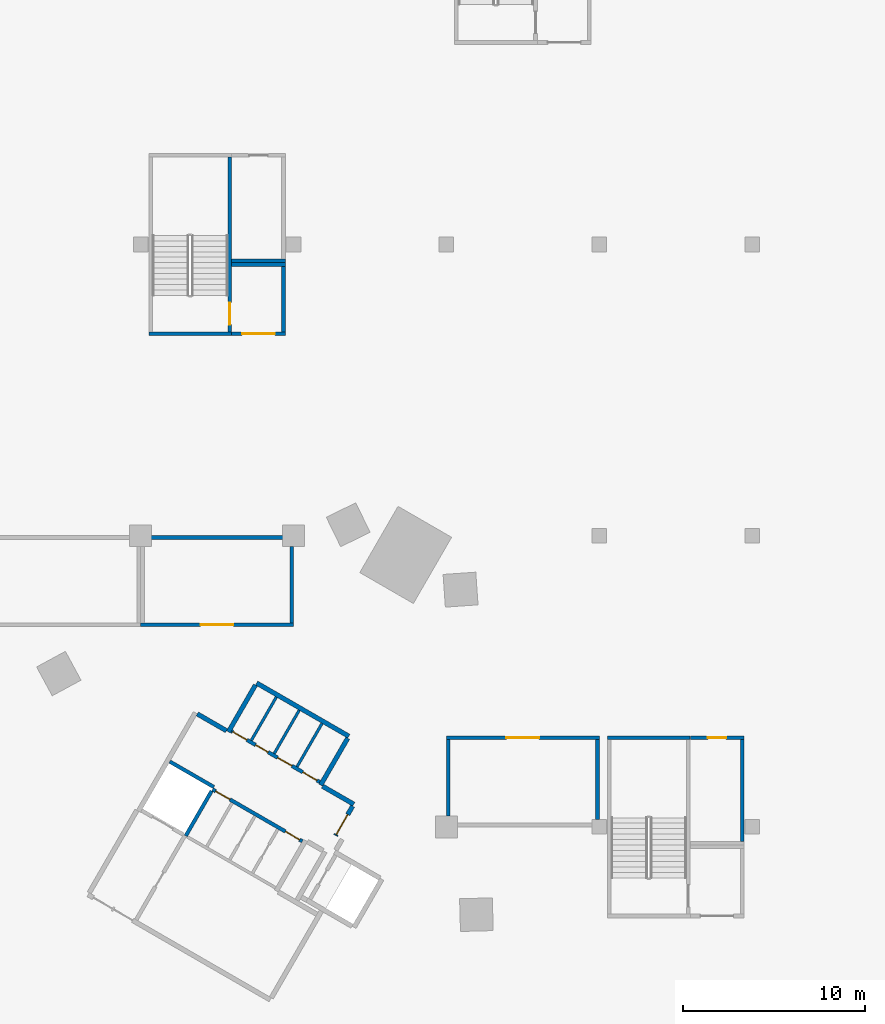
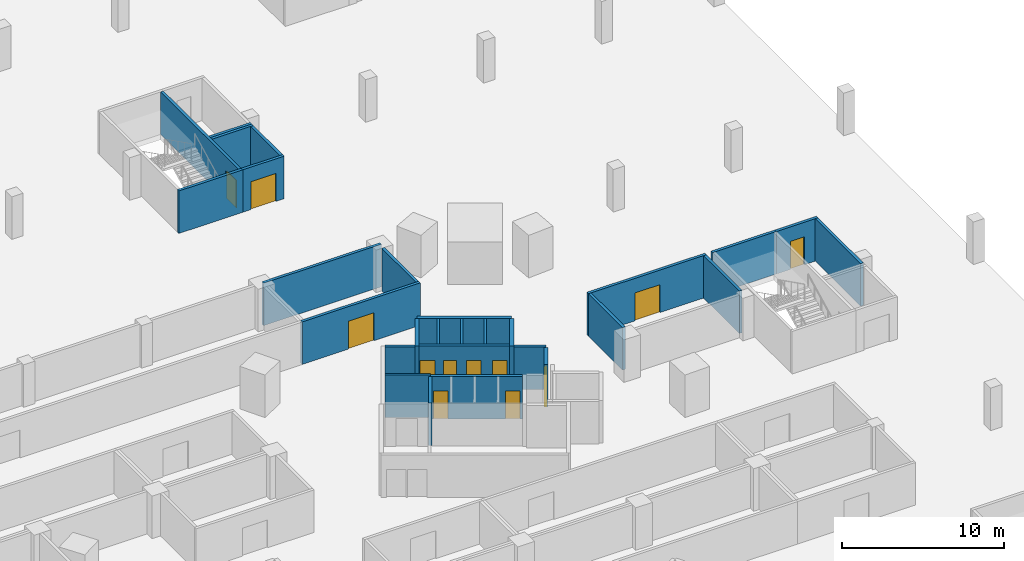
# One storey, part 14 of 37: 28 walls, 12 doors, 12 openings.
"""IFC4 building model written with IfcOpenShell, lengths in metres."""

from ifc_helpers import new_model, si_unit, direction, frame, frame_2d, origin, place, context, subcontext, project, spatial, rectangle, extrude, material, layer, layer_set, type_object, element, fill, save


model = new_model("IFC4")

# Units and contexts
model_context = context("Model", 3, precision=1e-05, world=origin(), true_north=direction((0.0, 1.0)))
body_context = subcontext(model_context, "Body", "Model", "MODEL_VIEW")
ifc_project = project(units=[si_unit("LENGTHUNIT", "METRE"), si_unit("AREAUNIT", "SQUARE_METRE"), si_unit("VOLUMEUNIT", "CUBIC_METRE"), si_unit("PLANEANGLEUNIT", "RADIAN"), si_unit("MASSUNIT", "GRAM", prefix="KILO")], contexts=[model_context])

# Site, building, storey
site_placement = place(None, origin())
site = spatial("IfcSite", under=ifc_project, at=site_placement, CompositionType="ELEMENT")
building_placement = place(site_placement, origin())
building = spatial("IfcBuilding", under=site, at=building_placement, Name="Tamra Quay Hotel Tower", CompositionType="ELEMENT")
storey_placement = place(building_placement, frame((0.0, 0.0, -7.199951171875)))
storey = spatial("IfcBuildingStorey", under=building, at=storey_placement, Name="B2", CompositionType="ELEMENT", Elevation=-7.199951171875)

# Wall, opening, door
ifc_material_1 = material(Name="Blockwork", Category="masonry")
ifc_layer_1 = layer(ifc_material_1, 0.199951171875)
ifc_layer_set_1 = layer_set([ifc_layer_1], Name="Car park room wall 200")
wall_type_1 = type_object("IfcWallType", Name="Car park room wall 200", PredefinedType="PARTITIONING", material=ifc_layer_set_1)
wall_1_placement = place(storey_placement, frame((20.10009765625, 20.89990234375, 0.0), z_axis=(0.0, 0.0, 1.0), x_axis=(1.0, 0.0, 0.0)))
wall_1 = element("IfcWall", 1, at=wall_1_placement, inside=storey, type_object=wall_type_1, Name="PW", PredefinedType="PARTITIONING", context=body_context, shape_type="SweptSolid", body=[
    extrude(rectangle(XDim=8.39990234375, YDim=0.199951171875, at=frame_2d((4.199951171875, 0.0))), origin(), (0.0, 0.0, 1.0), 3.199951171875),
])
opening_1_placement = place(wall_1_placement, frame((3.300048828125, 0.0, 0.0)))
opening_1 = element("IfcOpeningElement", 2, at=opening_1_placement, cuts=wall_1, Name="Opening PD2", PredefinedType="OPENING", context=body_context, shape_type="SweptSolid", body=[
    extrude(rectangle(XDim=1.800048828125, YDim=2.10009765625, at=frame_2d((0.89990234375, 1.050048828125))), frame((0.0, 0.10986328125, 0.0), z_axis=(0.0, -1.0, 0.0), x_axis=(1.0, 0.0, 0.0)), (0.0, 0.0, 1.0), 0.219970703125),
])
ifc_material_2 = material(Name="Plant door 1800 x 2100")
door_type_1 = type_object("IfcDoorType", Name="Plant door 1800 x 2100", OperationType="DOUBLE_DOOR_SINGLE_SWING", PredefinedType="DOOR", material=ifc_material_2)
door_1_placement = place(opening_1_placement, origin())
door_1 = element("IfcDoor", 3, at=door_1_placement, inside=storey, type_object=door_type_1, Name="PD2", OperationType="DOUBLE_DOOR_SINGLE_SWING", OverallHeight=2.10009765625, OverallWidth=1.800048828125, PredefinedType="DOOR", context=body_context, shape_type="SweptSolid", body=[
    extrude(rectangle(XDim=1.800048828125, YDim=2.10009765625, at=frame_2d((0.89990234375, 1.050048828125))), frame((0.0, 0.02490234375, 0.0), z_axis=(0.0, -1.0, 0.0), x_axis=(1.0, 0.0, 0.0)), (0.0, 0.0, 1.0), 0.050048828125),
])
fill(opening_1, door_1)

# Walls
wall_2_placement = place(storey_placement, frame((20.199951171875, 16.60009765625, 0.0), z_axis=(0.0, 0.0, 1.0), x_axis=(0.0, 1.0, 0.0)))
element("IfcWall", 4, at=wall_2_placement, inside=storey, type_object=wall_type_1, Name="PW", PredefinedType="PARTITIONING", context=body_context, shape_type="SweptSolid", body=[
    extrude(rectangle(XDim=4.199951171875, YDim=0.199951171875, at=frame_2d((2.10009765625, 0.0))), origin(), (0.0, 0.0, 1.0), 3.199951171875),
])
wall_3_placement = place(storey_placement, frame((28.39990234375, 16.39990234375, 0.0), z_axis=(0.0, 0.0, 1.0), x_axis=(0.0, 1.0, 0.0)))
element("IfcWall", 5, at=wall_3_placement, inside=storey, type_object=wall_type_1, Name="PW", PredefinedType="PARTITIONING", context=body_context, shape_type="SweptSolid", body=[
    extrude(rectangle(XDim=4.400146484375, YDim=0.199951171875, at=frame_2d((2.2001953125, 0.0))), origin(), (0.0, 0.0, 1.0), 3.199951171875),
])

# Wall, opening, door
wall_4_placement = place(storey_placement, frame((3.300048828125, 27.10009765625, 0.0), z_axis=(0.0, 0.0, 1.0), x_axis=(1.0, 0.0, 0.0)))
wall_4 = element("IfcWall", 6, at=wall_4_placement, inside=storey, type_object=wall_type_1, Name="PW", PredefinedType="PARTITIONING", context=body_context, shape_type="SweptSolid", body=[
    extrude(rectangle(XDim=8.39990234375, YDim=0.199951171875, at=frame_2d((4.199951171875, 0.0))), origin(), (0.0, 0.0, 1.0), 3.199951171875),
])
opening_2_placement = place(wall_4_placement, frame((3.300048828125, 0.0, 0.0)))
opening_2 = element("IfcOpeningElement", 7, at=opening_2_placement, cuts=wall_4, Name="Opening PD2", PredefinedType="OPENING", context=body_context, shape_type="SweptSolid", body=[
    extrude(rectangle(XDim=1.800048828125, YDim=2.10009765625, at=frame_2d((0.89990234375, 1.050048828125))), frame((0.0, 0.10986328125, 0.0), z_axis=(0.0, -1.0, 0.0), x_axis=(1.0, 0.0, 0.0)), (0.0, 0.0, 1.0), 0.219970703125),
])
door_2_placement = place(opening_2_placement, origin())
door_2 = element("IfcDoor", 8, at=door_2_placement, inside=storey, type_object=door_type_1, Name="PD2", OperationType="DOUBLE_DOOR_SINGLE_SWING", OverallHeight=2.10009765625, OverallWidth=1.800048828125, PredefinedType="DOOR", context=body_context, shape_type="SweptSolid", body=[
    extrude(rectangle(XDim=1.800048828125, YDim=2.10009765625, at=frame_2d((0.89990234375, 1.050048828125))), frame((0.0, 0.02490234375, 0.0), z_axis=(0.0, -1.0, 0.0), x_axis=(1.0, 0.0, 0.0)), (0.0, 0.0, 1.0), 0.050048828125),
])
fill(opening_2, door_2)

# Walls
wall_5_placement = place(storey_placement, frame((3.300048828125, 31.89990234375, 0.0), z_axis=(0.0, 0.0, 1.0), x_axis=(1.0, 0.0, 0.0)))
element("IfcWall", 9, at=wall_5_placement, inside=storey, type_object=wall_type_1, Name="PW", PredefinedType="PARTITIONING", context=body_context, shape_type="SweptSolid", body=[
    extrude(rectangle(XDim=8.39990234375, YDim=0.199951171875, at=frame_2d((4.199951171875, 0.0))), origin(), (0.0, 0.0, 1.0), 3.199951171875),
])
wall_6_placement = place(storey_placement, frame((11.60009765625, 27.199951171875, 0.0), z_axis=(0.0, 0.0, 1.0), x_axis=(0.0, 1.0, 0.0)))
element("IfcWall", 10, at=wall_6_placement, inside=storey, type_object=wall_type_1, Name="PW", PredefinedType="PARTITIONING", context=body_context, shape_type="SweptSolid", body=[
    extrude(rectangle(XDim=4.199951171875, YDim=0.199951171875, at=frame_2d((2.10009765625, 0.0))), origin(), (0.0, 0.0, 1.0), 3.199951171875),
])

# Wall, opening, door
wall_7_placement = place(storey_placement, frame((8.300048828125, 43.10009765625, 0.0), z_axis=(0.0, 0.0, 1.0), x_axis=(1.0, 0.0, 0.0)))
wall_7 = element("IfcWall", 11, at=wall_7_placement, inside=storey, type_object=wall_type_1, Name="PW", PredefinedType="PARTITIONING", context=body_context, shape_type="SweptSolid", body=[
    extrude(rectangle(XDim=2.949951171875, YDim=0.199951171875, at=frame_2d((1.47509765625, 0.0))), origin(), (0.0, 0.0, 1.0), 3.199951171875),
])
opening_3_placement = place(wall_7_placement, frame((0.574951171875, 0.0, 0.0)))
opening_3 = element("IfcOpeningElement", 12, at=opening_3_placement, cuts=wall_7, Name="Opening PD2", PredefinedType="OPENING", context=body_context, shape_type="SweptSolid", body=[
    extrude(rectangle(XDim=1.800048828125, YDim=2.10009765625, at=frame_2d((0.89990234375, 1.050048828125))), frame((0.0, 0.10986328125, 0.0), z_axis=(0.0, -1.0, 0.0), x_axis=(1.0, 0.0, 0.0)), (0.0, 0.0, 1.0), 0.219970703125),
])
door_3_placement = place(opening_3_placement, origin())
door_3 = element("IfcDoor", 13, at=door_3_placement, inside=storey, type_object=door_type_1, Name="PD2", OperationType="DOUBLE_DOOR_SINGLE_SWING", OverallHeight=2.10009765625, OverallWidth=1.800048828125, PredefinedType="DOOR", context=body_context, shape_type="SweptSolid", body=[
    extrude(rectangle(XDim=1.800048828125, YDim=2.10009765625, at=frame_2d((0.89990234375, 1.050048828125))), frame((0.0, 0.02490234375, 0.0), z_axis=(0.0, -1.0, 0.0), x_axis=(1.0, 0.0, 0.0)), (0.0, 0.0, 1.0), 0.050048828125),
])
fill(opening_3, door_3)

# Walls
wall_8_placement = place(storey_placement, frame((8.300048828125, 46.89990234375, 0.0), z_axis=(0.0, 0.0, 1.0), x_axis=(1.0, 0.0, 0.0)))
element("IfcWall", 14, at=wall_8_placement, inside=storey, type_object=wall_type_1, Name="PW", PredefinedType="PARTITIONING", context=body_context, shape_type="SweptSolid", body=[
    extrude(rectangle(XDim=2.949951171875, YDim=0.199951171875, at=frame_2d((1.47509765625, 0.0))), origin(), (0.0, 0.0, 1.0), 3.199951171875),
])
wall_9_placement = place(storey_placement, frame((11.14990234375, 43.199951171875, 0.0), z_axis=(0.0, 0.0, 1.0), x_axis=(0.0, 1.0, 0.0)))
element("IfcWall", 15, at=wall_9_placement, inside=storey, type_object=wall_type_1, Name="PW", PredefinedType="PARTITIONING", context=body_context, shape_type="SweptSolid", body=[
    extrude(rectangle(XDim=3.60009765625, YDim=0.199951171875, at=frame_2d((1.800048828125, 0.0))), origin(), (0.0, 0.0, 1.0), 3.199951171875),
])
wall_10_placement = place(storey_placement, frame((8.300048828125, 47.10009765625, 0.0), z_axis=(0.0, 0.0, 1.0), x_axis=(1.0, 0.0, 0.0)))
element("IfcWall", 16, at=wall_10_placement, inside=storey, type_object=wall_type_1, Name="PW", PredefinedType="PARTITIONING", context=body_context, shape_type="SweptSolid", body=[
    extrude(rectangle(XDim=2.949951171875, YDim=0.199951171875, at=frame_2d((1.47509765625, 0.0))), origin(), (0.0, 0.0, 1.0), 3.199951171875),
])

# Wall, opening, door
wall_11_placement = place(storey_placement, frame((33.5, 20.89990234375, 0.0), z_axis=(0.0, 0.0, 1.0), x_axis=(1.0, 0.0, 0.0)))
wall_11 = element("IfcWall", 17, at=wall_11_placement, inside=storey, type_object=wall_type_1, Name="PW", PredefinedType="PARTITIONING", context=body_context, shape_type="SweptSolid", body=[
    extrude(rectangle(XDim=2.949951171875, YDim=0.199951171875, at=frame_2d((1.47509765625, 0.0))), origin(), (0.0, 0.0, 1.0), 3.199951171875),
])
opening_4_placement = place(wall_11_placement, frame((0.97509765625, 0.0, 0.0)))
opening_4 = element("IfcOpeningElement", 18, at=opening_4_placement, cuts=wall_11, Name="Opening PD1", PredefinedType="OPENING", context=body_context, shape_type="SweptSolid", body=[
    extrude(rectangle(XDim=1.0, YDim=2.10009765625, at=frame_2d((0.5, 1.050048828125))), frame((0.0, 0.10986328125, 0.0), z_axis=(0.0, -1.0, 0.0), x_axis=(1.0, 0.0, 0.0)), (0.0, 0.0, 1.0), 0.219970703125),
])
ifc_material_3 = material(Name="Car park door 1000 x 2100")
door_type_2 = type_object("IfcDoorType", Name="Car park door 1000 x 2100", OperationType="NOTDEFINED", PredefinedType="DOOR", material=ifc_material_3)
door_4_placement = place(opening_4_placement, origin())
door_4 = element("IfcDoor", 19, at=door_4_placement, inside=storey, type_object=door_type_2, Name="PD1", OperationType="SINGLE_SWING_LEFT", OverallHeight=2.10009765625, OverallWidth=1.0, PredefinedType="DOOR", context=body_context, shape_type="SweptSolid", body=[
    extrude(rectangle(XDim=1.0, YDim=2.10009765625, at=frame_2d((0.5, 1.050048828125))), frame((0.0, 0.02490234375, 0.0), z_axis=(0.0, -1.0, 0.0), x_axis=(1.0, 0.0, 0.0)), (0.0, 0.0, 1.0), 0.050048828125),
])
fill(opening_4, door_4)

# Wall
wall_12_placement = place(storey_placement, frame((36.35009765625, 15.199951171875, 0.0), z_axis=(0.0, 0.0, 1.0), x_axis=(0.0, 1.0, 0.0)))
element("IfcWall", 20, at=wall_12_placement, inside=storey, type_object=wall_type_1, Name="PW", PredefinedType="PARTITIONING", context=body_context, shape_type="SweptSolid", body=[
    extrude(rectangle(XDim=5.60009765625, YDim=0.199951171875, at=frame_2d((2.800048828125, 0.0))), origin(), (0.0, 0.0, 1.0), 3.199951171875),
])

# Wall, openings, doors
ifc_material_4 = material(Name="Concrete M70", Category="concrete")
ifc_layer_2 = layer(ifc_material_4, 0.199951171875)
ifc_layer_set_2 = layer_set([ifc_layer_2], Name="Concrete M70 core wall 200")
wall_type_2 = type_object("IfcWallType", Name="Concrete M70 core wall 200", PredefinedType="SHEAR", material=ifc_layer_set_2)
wall_13_placement = place(storey_placement, frame((8.294189453125, 21.26416015625, 0.0), z_axis=(0.0, 0.0, 1.0), x_axis=(0.866025812541, -0.499999292012, 0.0)))
wall_13 = element("IfcWall", 21, at=wall_13_placement, inside=storey, type_object=wall_type_2, Name="CW2", PredefinedType="SHEAR", context=body_context, shape_type="SweptSolid", body=[
    extrude(rectangle(XDim=5.59814453125, YDim=0.199951171875, at=frame_2d((2.799072265625, 0.0))), origin(), (0.0, 0.0, 1.0), 3.199951171875),
])
opening_5_placement = place(wall_13_placement, frame((4.52392578125, 0.0, 0.0)))
opening_5 = element("IfcOpeningElement", 22, at=opening_5_placement, cuts=wall_13, Name="Opening D2", PredefinedType="OPENING", context=body_context, shape_type="SweptSolid", body=[
    extrude(rectangle(XDim=0.89990234375, YDim=2.10009765625, at=frame_2d((0.449951171875, 1.050048828125))), frame((0.0, 0.10986328125, 0.0), z_axis=(0.0, -1.0, 0.0), x_axis=(1.0, 0.0, 0.0)), (0.0, 0.0, 1.0), 0.219970703125),
])
opening_6_placement = place(wall_13_placement, frame((2.923828125, 0.0, 0.0)))
opening_6 = element("IfcOpeningElement", 23, at=opening_6_placement, cuts=wall_13, Name="Opening D2", PredefinedType="OPENING", context=body_context, shape_type="SweptSolid", body=[
    extrude(rectangle(XDim=0.89990234375, YDim=2.10009765625, at=frame_2d((0.449951171875, 1.050048828125))), frame((0.0, 0.10986328125, 0.0), z_axis=(0.0, -1.0, 0.0), x_axis=(1.0, 0.0, 0.0)), (0.0, 0.0, 1.0), 0.219970703125),
])
opening_7_placement = place(wall_13_placement, frame((1.52392578125, 0.0, 0.0)))
opening_7 = element("IfcOpeningElement", 24, at=opening_7_placement, cuts=wall_13, Name="Opening D3", PredefinedType="OPENING", context=body_context, shape_type="SweptSolid", body=[
    extrude(rectangle(XDim=0.800048828125, YDim=2.10009765625, at=frame_2d((0.39990234375, 1.050048828125))), frame((0.0, 0.10986328125, 0.0), z_axis=(0.0, -1.0, 0.0), x_axis=(1.0, 0.0, 0.0)), (0.0, 0.0, 1.0), 0.219970703125),
])
opening_8_placement = place(wall_13_placement, frame((0.080078125, 0.0, 0.0)))
opening_8 = element("IfcOpeningElement", 25, at=opening_8_placement, cuts=wall_13, Name="Opening D2", PredefinedType="OPENING", context=body_context, shape_type="SweptSolid", body=[
    extrude(rectangle(XDim=0.89990234375, YDim=2.10009765625, at=frame_2d((0.449951171875, 1.050048828125))), frame((0.0, 0.10986328125, 0.0), z_axis=(0.0, -1.0, 0.0), x_axis=(1.0, 0.0, 0.0)), (0.0, 0.0, 1.0), 0.219970703125),
])
ifc_material_5 = material(Name="Core door D2 900x2100 LH")
door_type_3 = type_object("IfcDoorType", Name="Core door D2 900x2100 LH", OperationType="NOTDEFINED", PredefinedType="DOOR", material=ifc_material_5)
door_5_placement = place(opening_6_placement, origin())
door_5 = element("IfcDoor", 26, at=door_5_placement, inside=storey, type_object=door_type_3, Name="D2", OperationType="SINGLE_SWING_LEFT", OverallHeight=2.10009765625, OverallWidth=0.89990234375, PredefinedType="DOOR", context=body_context, shape_type="SweptSolid", body=[
    extrude(rectangle(XDim=0.89990234375, YDim=2.10009765625, at=frame_2d((0.449951171875, 1.050048828125))), frame((0.0, 0.02490234375, 0.0), z_axis=(0.0, -1.0, 0.0), x_axis=(1.0, 0.0, 0.0)), (0.0, 0.0, 1.0), 0.050048828125),
])
fill(opening_6, door_5)
ifc_material_6 = material(Name="Core door D2 900x2100 RH")
door_type_4 = type_object("IfcDoorType", Name="Core door D2 900x2100 RH", OperationType="NOTDEFINED", PredefinedType="DOOR", material=ifc_material_6)
door_6_placement = place(opening_5_placement, origin())
door_6 = element("IfcDoor", 27, at=door_6_placement, inside=storey, type_object=door_type_4, Name="D2", OperationType="SINGLE_SWING_RIGHT", OverallHeight=2.10009765625, OverallWidth=0.89990234375, PredefinedType="DOOR", context=body_context, shape_type="SweptSolid", body=[
    extrude(rectangle(XDim=0.89990234375, YDim=2.10009765625, at=frame_2d((0.449951171875, 1.050048828125))), frame((0.0, 0.02490234375, 0.0), z_axis=(0.0, -1.0, 0.0), x_axis=(1.0, 0.0, 0.0)), (0.0, 0.0, 1.0), 0.050048828125),
])
fill(opening_5, door_6)
door_7_placement = place(opening_8_placement, origin())
door_7 = element("IfcDoor", 28, at=door_7_placement, inside=storey, type_object=door_type_4, Name="D2", OperationType="SINGLE_SWING_RIGHT", OverallHeight=2.10009765625, OverallWidth=0.89990234375, PredefinedType="DOOR", context=body_context, shape_type="SweptSolid", body=[
    extrude(rectangle(XDim=0.89990234375, YDim=2.10009765625, at=frame_2d((0.449951171875, 1.050048828125))), frame((0.0, 0.02490234375, 0.0), z_axis=(0.0, -1.0, 0.0), x_axis=(1.0, 0.0, 0.0)), (0.0, 0.0, 1.0), 0.050048828125),
])
fill(opening_8, door_7)
ifc_material_7 = material(Name="Core door D3 800x2100 LH")
door_type_5 = type_object("IfcDoorType", Name="Core door D3 800x2100 LH", OperationType="NOTDEFINED", PredefinedType="DOOR", material=ifc_material_7)
door_8_placement = place(opening_7_placement, origin())
door_8 = element("IfcDoor", 29, at=door_8_placement, inside=storey, type_object=door_type_5, Name="D3", OperationType="SINGLE_SWING_LEFT", OverallHeight=2.10009765625, OverallWidth=0.800048828125, PredefinedType="DOOR", context=body_context, shape_type="SweptSolid", body=[
    extrude(rectangle(XDim=0.800048828125, YDim=2.10009765625, at=frame_2d((0.39990234375, 1.050048828125))), frame((0.0, 0.02490234375, 0.0), z_axis=(0.0, -1.0, 0.0), x_axis=(1.0, 0.0, 0.0)), (0.0, 0.0, 1.0), 0.050048828125),
])
fill(opening_7, door_8)

wall_14_placement = place(storey_placement, frame((12.18505859375, 15.20703125, 0.0), z_axis=(0.0, 0.0, 1.0), x_axis=(-0.866020080793, 0.500009219579, 0.0)))
wall_14 = element("IfcWall", 30, at=wall_14_placement, inside=storey, type_object=wall_type_2, Name="CW2", PredefinedType="SHEAR", context=body_context, shape_type="SweptSolid", body=[
    extrude(rectangle(XDim=5.69921875, YDim=0.199951171875, at=frame_2d((2.849609375, 0.0))), origin(), (0.0, 0.0, 1.0), 3.199951171875),
])
opening_9_placement = place(wall_14_placement, frame((0.174072265625, 0.0, 0.0)))
opening_9 = element("IfcOpeningElement", 31, at=opening_9_placement, cuts=wall_14, Name="Opening D2", PredefinedType="OPENING", context=body_context, shape_type="SweptSolid", body=[
    extrude(rectangle(XDim=0.89990234375, YDim=2.10009765625, at=frame_2d((0.449951171875, 1.050048828125))), frame((0.0, 0.10986328125, 0.0), z_axis=(0.0, -1.0, 0.0), x_axis=(1.0, 0.0, 0.0)), (0.0, 0.0, 1.0), 0.219970703125),
])
opening_10_placement = place(wall_14_placement, frame((4.59912109375, 0.0, 0.0)))
opening_10 = element("IfcOpeningElement", 32, at=opening_10_placement, cuts=wall_14, Name="Opening D2", PredefinedType="OPENING", context=body_context, shape_type="SweptSolid", body=[
    extrude(rectangle(XDim=0.89990234375, YDim=2.10009765625, at=frame_2d((0.449951171875, 1.050048828125))), frame((0.0, 0.10986328125, 0.0), z_axis=(0.0, -1.0, 0.0), x_axis=(1.0, 0.0, 0.0)), (0.0, 0.0, 1.0), 0.219970703125),
])
door_9_placement = place(opening_10_placement, origin())
door_9 = element("IfcDoor", 33, at=door_9_placement, inside=storey, type_object=door_type_3, Name="D2", OperationType="SINGLE_SWING_LEFT", OverallHeight=2.10009765625, OverallWidth=0.89990234375, PredefinedType="DOOR", context=body_context, shape_type="SweptSolid", body=[
    extrude(rectangle(XDim=0.89990234375, YDim=2.10009765625, at=frame_2d((0.449951171875, 1.050048828125))), frame((0.0, 0.02490234375, 0.0), z_axis=(0.0, -1.0, 0.0), x_axis=(1.0, 0.0, 0.0)), (0.0, 0.0, 1.0), 0.050048828125),
])
fill(opening_10, door_9)
door_10_placement = place(opening_9_placement, origin())
door_10 = element("IfcDoor", 34, at=door_10_placement, inside=storey, type_object=door_type_4, Name="D2", OperationType="SINGLE_SWING_RIGHT", OverallHeight=2.10009765625, OverallWidth=0.89990234375, PredefinedType="DOOR", context=body_context, shape_type="SweptSolid", body=[
    extrude(rectangle(XDim=0.89990234375, YDim=2.10009765625, at=frame_2d((0.449951171875, 1.050048828125))), frame((0.0, 0.02490234375, 0.0), z_axis=(0.0, -1.0, 0.0), x_axis=(1.0, 0.0, 0.0)), (0.0, 0.0, 1.0), 0.050048828125),
])
fill(opening_9, door_10)

# Walls
wall_15_placement = place(storey_placement, frame((7.199462890625, 17.969970703125, 0.0), z_axis=(0.0, 0.0, 1.0), x_axis=(-0.499972122318, -0.866041498374, 0.0)))
element("IfcWall", 35, at=wall_15_placement, inside=storey, type_object=wall_type_2, Name="CW2", PredefinedType="SHEAR", context=body_context, shape_type="SweptSolid", body=[
    extrude(rectangle(XDim=2.849853515625, YDim=0.199951171875, at=frame_2d((1.4248046875, 0.0))), origin(), (0.0, 0.0, 1.0), 3.199951171875),
])
wall_16_placement = place(storey_placement, frame((4.900634765625, 19.5859375, 0.0), z_axis=(0.0, 0.0, 1.0), x_axis=(0.866022890907, -0.500004352405, 0.0)))
element("IfcWall", 36, at=wall_16_placement, inside=storey, type_object=wall_type_2, Name="CW2", PredefinedType="SHEAR", context=body_context, shape_type="SweptSolid", body=[
    extrude(rectangle(XDim=2.798828125, YDim=0.199951171875, at=frame_2d((1.3994140625, 0.0))), origin(), (0.0, 0.0, 1.0), 3.199951171875),
])
ifc_layer_3 = layer(ifc_material_4, 0.25)
ifc_layer_set_3 = layer_set([ifc_layer_3], Name="Concrete M70 core wall 250")
wall_type_3 = type_object("IfcWallType", Name="Concrete M70 core wall 250", PredefinedType="SHEAR", material=ifc_layer_set_3)
wall_17_placement = place(storey_placement, frame((9.672607421875, 23.9033203125, 0.0), z_axis=(0.0, 0.0, 1.0), x_axis=(0.86603616409, -0.499981362141, 0.0)))
element("IfcWall", 37, at=wall_17_placement, inside=storey, type_object=wall_type_3, Name="CW1", PredefinedType="SHEAR", context=body_context, shape_type="SweptSolid", body=[
    extrude(rectangle(XDim=5.849853515625, YDim=0.25, at=frame_2d((2.9248046875, 0.0))), origin(), (0.0, 0.0, 1.0), 3.199951171875),
])
for number, where, z_axis, x_axis, name in (
    (38, (8.12255859375, 21.21875, 0.0), (0.0, 0.0, 1.0), (0.499987686533, 0.866032512851, 0.0), "CW1"),
    (39, (14.67626953125, 20.869873046875, 0.0), (0.0, 0.0, 1.0), (-0.499987686533, -0.866032512851, 0.0), "CW1"),
):
    element("IfcWall", number, at=place(storey_placement, frame(where, z_axis=z_axis, x_axis=x_axis)), inside=storey, type_object=wall_type_3, Name=name, PredefinedType="SHEAR", context=body_context, shape_type="SweptSolid", body=[
        extrude(rectangle(XDim=2.974609375, YDim=0.25, at=frame_2d((1.4873046875, 0.0))), origin(), (0.0, 0.0, 1.0), 3.199951171875),
    ])
wall_18_placement = place(storey_placement, frame((6.41259765625, 22.2060546875, 0.0), z_axis=(0.0, 0.0, 1.0), x_axis=(0.866016279763, -0.500015802937, 0.0)))
element("IfcWall", 40, at=wall_18_placement, inside=storey, type_object=wall_type_3, Name="CW1", PredefinedType="SHEAR", context=body_context, shape_type="SweptSolid", body=[
    extrude(rectangle(XDim=1.84912109375, YDim=0.25, at=frame_2d((0.924560546875, 0.0))), origin(), (0.0, 0.0, 1.0), 3.199951171875),
])
wall_19_placement = place(storey_placement, frame((13.29736328125, 18.23095703125, 0.0), z_axis=(0.0, 0.0, 1.0), x_axis=(0.866043531843, -0.499968599967, 0.0)))
element("IfcWall", 41, at=wall_19_placement, inside=storey, type_object=wall_type_3, Name="CW1", PredefinedType="SHEAR", context=body_context, shape_type="SweptSolid", body=[
    extrude(rectangle(XDim=1.974853515625, YDim=0.25, at=frame_2d((0.9873046875, 0.0))), origin(), (0.0, 0.0, 1.0), 3.199951171875),
])

# Wall, opening, door
wall_20_placement = place(storey_placement, frame((14.94482421875, 17.13525390625, 0.0), z_axis=(0.0, 0.0, 1.0), x_axis=(-0.499983108224, -0.866035156036, 0.0)))
wall_20 = element("IfcWall", 42, at=wall_20_placement, inside=storey, type_object=wall_type_3, Name="CW1", PredefinedType="SHEAR", context=body_context, shape_type="SweptSolid", body=[
    extrude(rectangle(XDim=1.86474609375, YDim=0.25, at=frame_2d((0.932373046875, 0.0))), origin(), (0.0, 0.0, 1.0), 3.199951171875),
])
opening_11_placement = place(wall_20_placement, frame((0.53466796875, 0.0, 0.0)))
opening_11 = element("IfcOpeningElement", 43, at=opening_11_placement, cuts=wall_20, Name="Opening FD3", PredefinedType="OPENING", context=body_context, shape_type="SweptSolid", body=[
    extrude(rectangle(XDim=1.25, YDim=2.10009765625, at=frame_2d((0.625, 1.050048828125))), frame((0.0, 0.135009765625, 0.0), z_axis=(0.0, -1.0, 0.0), x_axis=(1.0, 0.0, 0.0)), (0.0, 0.0, 1.0), 0.27001953125),
])
ifc_material_8 = material(Name="Core door FD3 1250x2100 LH")
door_type_6 = type_object("IfcDoorType", Name="Core door FD3 1250x2100 LH", OperationType="NOTDEFINED", PredefinedType="DOOR", material=ifc_material_8)
door_11_placement = place(opening_11_placement, origin())
door_11 = element("IfcDoor", 44, at=door_11_placement, inside=storey, type_object=door_type_6, Name="FD3", OperationType="SINGLE_SWING_LEFT", OverallHeight=2.10009765625, OverallWidth=1.25, PredefinedType="DOOR", context=body_context, shape_type="SweptSolid", body=[
    extrude(rectangle(XDim=1.25, YDim=2.10009765625, at=frame_2d((0.625, 1.050048828125))), frame((0.0, 0.02490234375, 0.0), z_axis=(0.0, -1.0, 0.0), x_axis=(1.0, 0.0, 0.0)), (0.0, 0.0, 1.0), 0.050048828125),
])
fill(opening_11, door_11)

ifc_layer_4 = layer(ifc_material_4, 0.199951171875)
ifc_layer_set_4 = layer_set([ifc_layer_4], Name="Concrete M70 stair enclosure wall 200")
wall_type_4 = type_object("IfcWallType", Name="Concrete M70 stair enclosure wall 200", PredefinedType="SOLIDWALL", material=ifc_layer_set_4)
wall_21_placement = place(storey_placement, frame((8.199951171875, 43.199951171875, 0.0), z_axis=(0.0, 0.0, 1.0), x_axis=(0.0, 1.0, 0.0)))
wall_21 = element("IfcWall", 45, at=wall_21_placement, inside=storey, type_object=wall_type_4, Name="SEW", PredefinedType="SOLIDWALL", context=body_context, shape_type="SweptSolid", body=[
    extrude(rectangle(XDim=9.60009765625, YDim=0.199951171875, at=frame_2d((4.800048828125, 0.0))), origin(), (0.0, 0.0, 1.0), 3.199951171875),
])
opening_12_placement = place(wall_21_placement, frame((0.39990234375, 0.0, 0.0)))
opening_12 = element("IfcOpeningElement", 46, at=opening_12_placement, cuts=wall_21, Name="Opening SD1", PredefinedType="OPENING", context=body_context, shape_type="SweptSolid", body=[
    extrude(rectangle(XDim=1.199951171875, YDim=2.10009765625, at=frame_2d((0.60009765625, 1.050048828125))), frame((0.0, 0.10986328125, 0.0), z_axis=(0.0, -1.0, 0.0), x_axis=(1.0, 0.0, 0.0)), (0.0, 0.0, 1.0), 0.219970703125),
])
ifc_material_9 = material(Name="Stair door 1200 x 2100")
door_type_7 = type_object("IfcDoorType", Name="Stair door 1200 x 2100", OperationType="NOTDEFINED", PredefinedType="DOOR", material=ifc_material_9)
door_12_placement = place(opening_12_placement, origin())
door_12 = element("IfcDoor", 47, at=door_12_placement, inside=storey, type_object=door_type_7, Name="SD1", OperationType="SINGLE_SWING_LEFT", OverallHeight=2.10009765625, OverallWidth=1.199951171875, PredefinedType="DOOR", context=body_context, shape_type="SweptSolid", body=[
    extrude(rectangle(XDim=1.199951171875, YDim=2.10009765625, at=frame_2d((0.60009765625, 1.050048828125))), frame((0.0, 0.02490234375, 0.0), z_axis=(0.0, -1.0, 0.0), x_axis=(1.0, 0.0, 0.0)), (0.0, 0.0, 1.0), 0.050048828125),
])
fill(opening_12, door_12)

# Walls
for number, where, z_axis, x_axis, name in (
    (48, (8.300048828125, 43.10009765625, 0.0), (0.0, 0.0, 1.0), (-1.0, 0.0, 0.0), "SEW"),
    (49, (28.949951171875, 20.89990234375, 0.0), (0.0, 0.0, 1.0), (1.0, 0.0, 0.0), "SEW"),
):
    element("IfcWall", number, at=place(storey_placement, frame(where, z_axis=z_axis, x_axis=x_axis)), inside=storey, type_object=wall_type_4, Name=name, PredefinedType="SOLIDWALL", context=body_context, shape_type="SweptSolid", body=[
        extrude(rectangle(XDim=4.550048828125, YDim=0.199951171875, at=frame_2d((2.27490234375, 0.0))), origin(), (0.0, 0.0, 1.0), 3.199951171875),
    ])
ifc_layer_5 = layer(ifc_material_1, 0.14990234375)
ifc_layer_set_5 = layer_set([ifc_layer_5], Name="Core partition block 150")
wall_type_5 = type_object("IfcWallType", Name="Core partition block 150", PredefinedType="PARTITIONING", material=ifc_layer_set_5)
for number, where, z_axis, x_axis, name in (
    (50, (10.638671875, 20.02685546875, 0.0), (0.0, 0.0, 1.0), (0.499988999718, 0.866031754707, 0.0), "CP1"),
    (51, (9.3828125, 20.751708984375, 0.0), (0.0, 0.0, 1.0), (0.499988999718, 0.866031754707, 0.0), "CP1"),
    (52, (11.894287109375, 19.3017578125, 0.0), (0.0, 0.0, 1.0), (0.499988999718, 0.866031754707, 0.0), "CP1"),
):
    element("IfcWall", number, at=place(storey_placement, frame(where, z_axis=z_axis, x_axis=x_axis)), inside=storey, type_object=wall_type_5, Name=name, PredefinedType="PARTITIONING", context=body_context, shape_type="SweptSolid", body=[
        extrude(rectangle(XDim=2.74853515625, YDim=0.14990234375, at=frame_2d((1.374267578125, 0.0))), origin(), (0.0, 0.0, 1.0), 3.199951171875),
    ])

save(model, "model.ifc")
